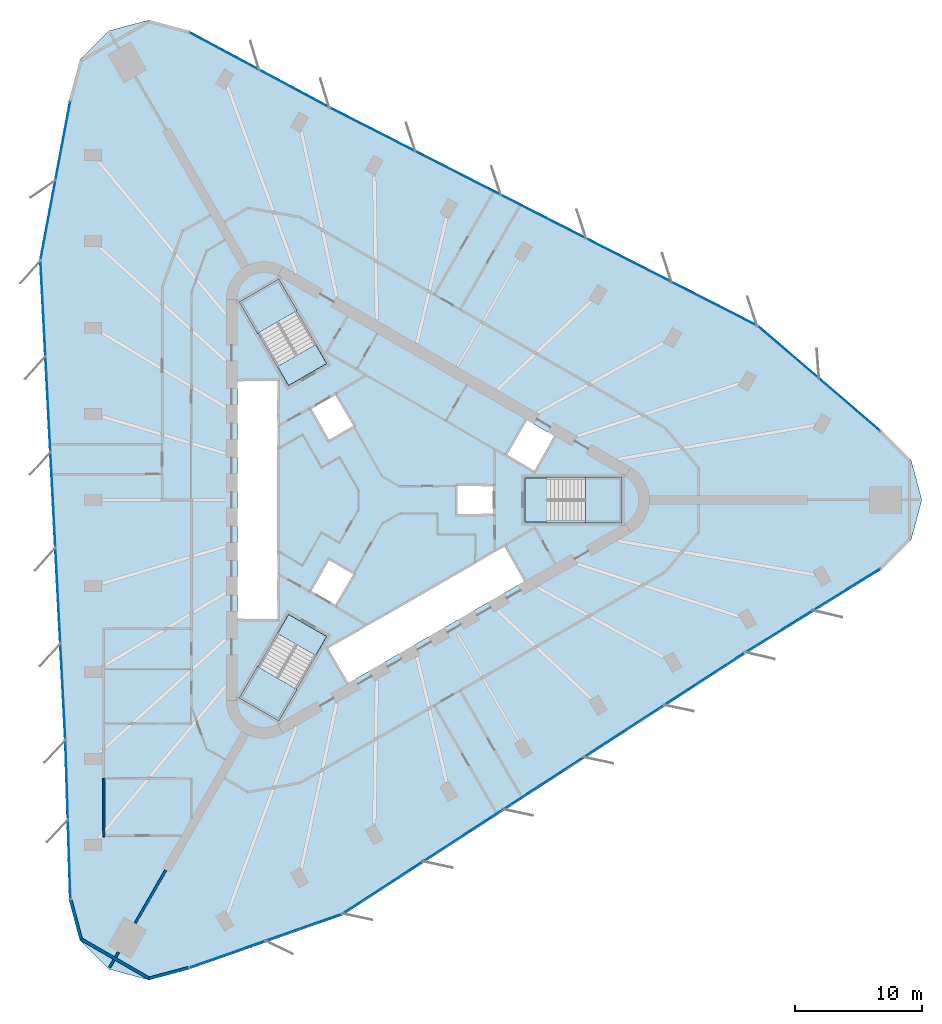
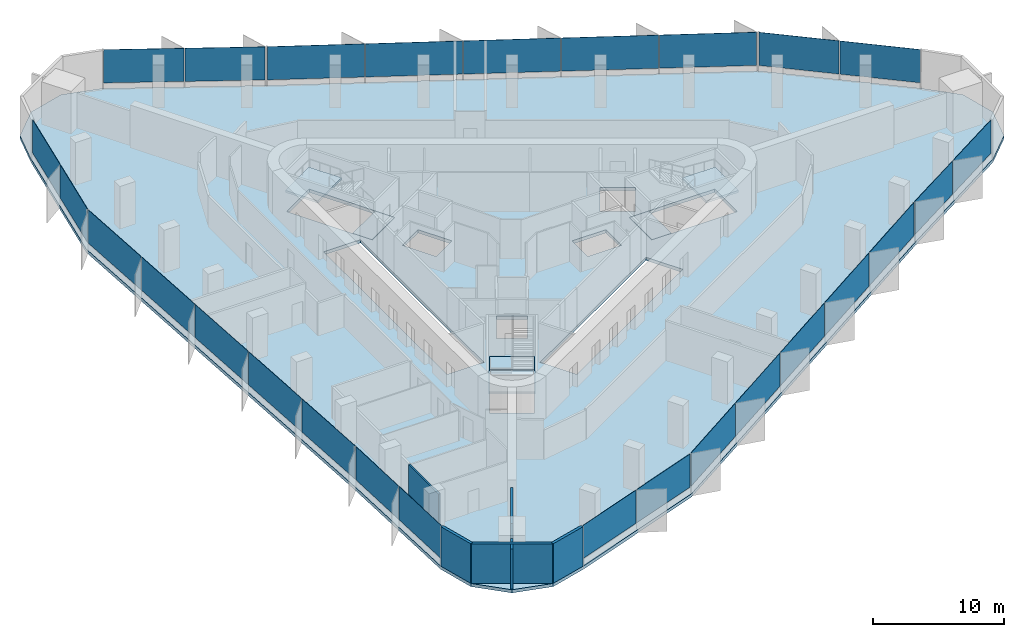
# One storey, part 7 of 13: 27 plates, 7 slabs, 7 walls, 12 elements without a shape of their own.
"""IFC4 building model written with IfcOpenShell, lengths in metres."""

from ifc_helpers import new_model, si_unit, direction, frame, frame_2d, origin, origin_2d, place, context, subcontext, project, spatial, polyline, rectangle, outline, extrude, material, layer, layer_set, type_object, element, aggregate, save


model = new_model("IFC4")

# Units and contexts
model_context = context("Model", 3, precision=1e-05, world=origin(), true_north=direction((0.0, 1.0)))
body_context = subcontext(model_context, "Body", "Model", "MODEL_VIEW")
ifc_project = project(units=[si_unit("LENGTHUNIT", "METRE"), si_unit("AREAUNIT", "SQUARE_METRE"), si_unit("VOLUMEUNIT", "CUBIC_METRE"), si_unit("PLANEANGLEUNIT", "RADIAN"), si_unit("MASSUNIT", "GRAM", prefix="KILO")], contexts=[model_context])

# Site, building, storey
site_placement = place(None, origin())
site = spatial("IfcSite", under=ifc_project, at=site_placement, CompositionType="ELEMENT")
building_placement = place(site_placement, origin())
building = spatial("IfcBuilding", under=site, at=building_placement, Name="Tanit Gate Tower", CompositionType="ELEMENT")
storey_placement = place(building_placement, frame((0.0, 0.0, 177.199951171875)))
storey = spatial("IfcBuildingStorey", under=building, at=storey_placement, Name="L38", CompositionType="ELEMENT", Elevation=177.199951171875)

# Slab
ifc_material_1 = material(Name="Concrete C35/45", Category="concrete")
ifc_layer_1 = layer(ifc_material_1, 0.300048828125)
ifc_layer_set_1 = layer_set([ifc_layer_1], Name="FLOOR SLAB 300 C35/45")
slab_type_1 = type_object("IfcSlabType", Name="FLOOR SLAB 300 C35/45", PredefinedType="FLOOR", material=ifc_layer_set_1)
slab_1_placement = place(storey_placement, frame((0.0, 0.0, -0.300048828125)))
element("IfcSlab", 1, at=slab_1_placement, inside=storey, type_object=slab_type_1, Name="FLOOR SLAB L38", PredefinedType="FLOOR", context=body_context, shape_type="SweptSolid", body=[
    extrude(outline(polyline([(39.398681640625, 5.455078125), (41.7041015625, 3.1494140625), (42.548095703125, 0.0), (41.7041015625, -3.1494140625), (39.398681640625, -5.455078125), (28.72216796875, -12.077392578125), (-2.923583984375, -32.607177734375), (-14.97509765625, -36.84765625), (-18.12451171875, -37.691650390625), (-21.27392578125, -36.84765625), (-23.57958984375, -34.5419921875), (-24.423583984375, -31.392578125), (-24.8203125, -18.83544921875), (-26.77685546875, 18.83544921875), (-24.423583984375, 31.392578125), (-23.57958984375, 34.5419921875), (-21.27392578125, 36.84765625), (-18.12451171875, 37.691650390625), (-14.97509765625, 36.84765625), (-3.90185546875, 30.912841796875), (29.700439453125, 13.771484375), (39.398681640625, 5.455078125)]), holes=[polyline([(11.3701171875, 1.72998046875), (18.929931640625, 1.72998046875), (18.929931640625, -1.72998046875), (11.3701171875, -1.72998046875), (11.3701171875, 1.72998046875)]), polyline([(9.82080078125, 3.510009765625), (11.44580078125, 6.324462890625), (13.783935546875, 4.974609375), (12.158935546875, 2.159912109375), (9.82080078125, 3.510009765625)]), polyline([(-4.208984375, -11.60986328125), (9.82080078125, -3.510009765625), (11.44580078125, -6.324462890625), (-2.583984375, -14.424560546875), (-4.208984375, -11.60986328125)]), polyline([(6.0, 1.199951171875), (9.0, 1.199951171875), (9.0, -1.199951171875), (6.0, -1.199951171875), (6.0, 1.199951171875)]), polyline([(-5.539306640625, 7.194091796875), (-3.460693359375, 8.394287109375), (-1.960693359375, 5.796142578125), (-4.039306640625, 4.59619140625), (-5.539306640625, 7.194091796875)]), polyline([(-1.960693359375, -5.796142578125), (-3.460693359375, -8.394287109375), (-5.539306640625, -7.194091796875), (-4.039306640625, -4.59619140625), (-1.960693359375, -5.796142578125)]), polyline([(-10.963134765625, 15.52880859375), (-7.966796875, 17.2587890625), (-4.186767578125, 10.711669921875), (-7.18310546875, 8.981689453125), (-10.963134765625, 15.52880859375)]), polyline([(-4.186767578125, -10.711669921875), (-7.966796875, -17.2587890625), (-10.963134765625, -15.52880859375), (-7.18310546875, -8.981689453125), (-4.186767578125, -10.711669921875)]), polyline([(-11.199951171875, -9.449951171875), (-11.199951171875, 9.449951171875), (-7.949951171875, 9.449951171875), (-7.949951171875, -9.449951171875), (-11.199951171875, -9.449951171875)])]), origin(), (0.0, 0.0, 1.0), 0.300048828125),
])

# Curtain wall, plates
ifc_material_2 = material(Name="Aluminium bronze anodised and glass", Category="aluminium")
curtain_wall_type = type_object("IfcCurtainWallType", Name="Curtain wall typical mid", PredefinedType="NOTDEFINED", material=ifc_material_2)
curtain_wall_1_placement = place(storey_placement, origin())
curtain_wall_1 = element("IfcCurtainWall", 2, at=curtain_wall_1_placement, inside=storey, type_object=curtain_wall_type, Name="Curtain wall L38 NE1", PredefinedType="NOTDEFINED")
ifc_material_3 = material(Name="Glass tinted", Category="glass")
ifc_layer_2 = layer(ifc_material_3, 0.030029296875)
ifc_layer_set_2 = layer_set([ifc_layer_2], Name="Glass panel 30 typical mid")
plate_type = type_object("IfcPlateType", Name="Glass panel 30 typical mid", PredefinedType="CURTAIN_PANEL", material=ifc_layer_set_2)
plate_1_placement = place(storey_placement, frame((36.880859375, 7.4560546875, 0.60009765625), z_axis=(0.0, 0.0, 1.0), x_axis=(-0.759109335547, 0.650963145412, 0.0)))
plate_1 = element("IfcPlate", 3, at=plate_1_placement, type_object=plate_type, Name="Glass panel L38 NE1.1", PredefinedType="CURTAIN_PANEL", context=body_context, shape_type="SweptSolid", body=[
    extrude(rectangle(XDim=6.25830078125, YDim=0.030029296875, at=origin_2d()), origin(), (0.0, 0.0, 1.0), 3.10009765625),
])
plate_2_placement = place(storey_placement, frame((32.0693359375, 11.58203125, 0.60009765625), z_axis=(0.0, 0.0, 1.0), x_axis=(-0.759109335547, 0.650963145412, 0.0)))
plate_2 = element("IfcPlate", 4, at=plate_2_placement, type_object=plate_type, Name="Glass panel L38 NE1.2", PredefinedType="CURTAIN_PANEL", context=body_context, shape_type="SweptSolid", body=[
    extrude(rectangle(XDim=6.25830078125, YDim=0.030029296875, at=origin_2d()), origin(), (0.0, 0.0, 1.0), 3.10009765625),
])
aggregate(curtain_wall_1, [plate_1, plate_2])

curtain_wall_2_placement = place(storey_placement, origin())
curtain_wall_2 = element("IfcCurtainWall", 5, at=curtain_wall_2_placement, inside=storey, type_object=curtain_wall_type, Name="Curtain wall L38 NE2", PredefinedType="NOTDEFINED")
plate_3_placement = place(storey_placement, frame((26.24560546875, 15.399169921875, 0.60009765625), z_axis=(0.0, 0.0, 1.0), x_axis=(-0.890792250432, 0.454410790552, 0.0)))
plate_3 = element("IfcPlate", 6, at=plate_3_placement, type_object=plate_type, Name="Glass panel L38 NE2.1", PredefinedType="CURTAIN_PANEL", context=body_context, shape_type="SweptSolid", body=[
    extrude(rectangle(XDim=7.44580078125, YDim=0.030029296875, at=origin_2d()), origin(), (0.0, 0.0, 1.0), 3.10009765625),
])
plate_4_placement = place(storey_placement, frame((19.541748046875, 18.819091796875, 0.60009765625), z_axis=(0.0, 0.0, 1.0), x_axis=(-0.890792250432, 0.454410790552, 0.0)))
plate_4 = element("IfcPlate", 7, at=plate_4_placement, type_object=plate_type, Name="Glass panel L38 NE2.2", PredefinedType="CURTAIN_PANEL", context=body_context, shape_type="SweptSolid", body=[
    extrude(rectangle(XDim=7.44580078125, YDim=0.030029296875, at=origin_2d()), origin(), (0.0, 0.0, 1.0), 3.10009765625),
])
plate_5_placement = place(storey_placement, frame((12.837890625, 22.23876953125, 0.60009765625), z_axis=(0.0, 0.0, 1.0), x_axis=(-0.890792250432, 0.454410790552, 0.0)))
plate_5 = element("IfcPlate", 8, at=plate_5_placement, type_object=plate_type, Name="Glass panel L38 NE2.3", PredefinedType="CURTAIN_PANEL", context=body_context, shape_type="SweptSolid", body=[
    extrude(rectangle(XDim=7.44580078125, YDim=0.030029296875, at=origin_2d()), origin(), (0.0, 0.0, 1.0), 3.10009765625),
])
plate_6_placement = place(storey_placement, frame((6.134033203125, 25.65869140625, 0.60009765625), z_axis=(0.0, 0.0, 1.0), x_axis=(-0.890792250432, 0.454410790552, 0.0)))
plate_6 = element("IfcPlate", 9, at=plate_6_placement, type_object=plate_type, Name="Glass panel L38 NE2.4", PredefinedType="CURTAIN_PANEL", context=body_context, shape_type="SweptSolid", body=[
    extrude(rectangle(XDim=7.44580078125, YDim=0.030029296875, at=origin_2d()), origin(), (0.0, 0.0, 1.0), 3.10009765625),
])
plate_7_placement = place(storey_placement, frame((-0.56982421875, 29.078369140625, 0.60009765625), z_axis=(0.0, 0.0, 1.0), x_axis=(-0.890792250432, 0.454410790552, 0.0)))
plate_7 = element("IfcPlate", 10, at=plate_7_placement, type_object=plate_type, Name="Glass panel L38 NE2.5", PredefinedType="CURTAIN_PANEL", context=body_context, shape_type="SweptSolid", body=[
    extrude(rectangle(XDim=7.44580078125, YDim=0.030029296875, at=origin_2d()), origin(), (0.0, 0.0, 1.0), 3.10009765625),
])
aggregate(curtain_wall_2, [plate_3, plate_4, plate_5, plate_6, plate_7])

curtain_wall_3_placement = place(storey_placement, origin())
curtain_wall_3 = element("IfcCurtainWall", 11, at=curtain_wall_3_placement, inside=storey, type_object=curtain_wall_type, Name="Curtain wall L38 NE3", PredefinedType="NOTDEFINED")
plate_8_placement = place(storey_placement, frame((-6.74072265625, 32.298095703125, 0.60009765625), z_axis=(0.0, 0.0, 1.0), x_axis=(-0.881384648642, 0.472399302643, 0.0)))
plate_8 = element("IfcPlate", 12, at=plate_8_placement, type_object=plate_type, Name="Glass panel L38 NE3.1", PredefinedType="CURTAIN_PANEL", context=body_context, shape_type="SweptSolid", body=[
    extrude(rectangle(XDim=6.1552734375, YDim=0.030029296875, at=origin_2d()), origin(), (0.0, 0.0, 1.0), 3.10009765625),
])
plate_9_placement = place(storey_placement, frame((-12.236328125, 35.24365234375, 0.60009765625), z_axis=(0.0, 0.0, 1.0), x_axis=(-0.881384648642, 0.472399302643, 0.0)))
plate_9 = element("IfcPlate", 13, at=plate_9_placement, type_object=plate_type, Name="Glass panel L38 NE3.2", PredefinedType="CURTAIN_PANEL", context=body_context, shape_type="SweptSolid", body=[
    extrude(rectangle(XDim=6.1552734375, YDim=0.030029296875, at=origin_2d()), origin(), (0.0, 0.0, 1.0), 3.10009765625),
])
aggregate(curtain_wall_3, [plate_8, plate_9])

curtain_wall_4_placement = place(storey_placement, origin())
curtain_wall_4 = element("IfcCurtainWall", 14, at=curtain_wall_4_placement, inside=storey, type_object=curtain_wall_type, Name="Curtain wall L38 W1", PredefinedType="NOTDEFINED")
plate_10_placement = place(storey_placement, frame((-24.897705078125, 28.211669921875, 0.60009765625), z_axis=(0.0, 0.0, 1.0), x_axis=(-0.184195953081, -0.98288954154, 0.0)))
plate_10 = element("IfcPlate", 15, at=plate_10_placement, type_object=plate_type, Name="Glass panel L38 W1.1", PredefinedType="CURTAIN_PANEL", context=body_context, shape_type="SweptSolid", body=[
    extrude(rectangle(XDim=6.25830078125, YDim=0.030029296875, at=origin_2d()), origin(), (0.0, 0.0, 1.0), 3.10009765625),
])
plate_11_placement = place(storey_placement, frame((-26.065185546875, 21.981689453125, 0.60009765625), z_axis=(0.0, 0.0, 1.0), x_axis=(-0.184195953081, -0.98288954154, 0.0)))
plate_11 = element("IfcPlate", 16, at=plate_11_placement, type_object=plate_type, Name="Glass panel L38 W1.2", PredefinedType="CURTAIN_PANEL", context=body_context, shape_type="SweptSolid", body=[
    extrude(rectangle(XDim=6.25830078125, YDim=0.030029296875, at=origin_2d()), origin(), (0.0, 0.0, 1.0), 3.10009765625),
])
aggregate(curtain_wall_4, [plate_10, plate_11])

curtain_wall_5_placement = place(storey_placement, origin())
curtain_wall_5 = element("IfcCurtainWall", 17, at=curtain_wall_5_placement, inside=storey, type_object=curtain_wall_type, Name="Curtain wall L38 W2", PredefinedType="NOTDEFINED")
plate_12_placement = place(storey_placement, frame((-26.458984375, 15.02978515625, 0.60009765625), z_axis=(0.0, 0.0, 1.0), x_axis=(0.051864836844, -0.998654113645, 0.0)))
plate_12 = element("IfcPlate", 18, at=plate_12_placement, type_object=plate_type, Name="Glass panel L38 W2.1", PredefinedType="CURTAIN_PANEL", context=body_context, shape_type="SweptSolid", body=[
    extrude(rectangle(XDim=7.44580078125, YDim=0.030029296875, at=origin_2d()), origin(), (0.0, 0.0, 1.0), 3.10009765625),
])
plate_13_placement = place(storey_placement, frame((-26.068603515625, 7.51416015625, 0.60009765625), z_axis=(0.0, 0.0, 1.0), x_axis=(0.051864836844, -0.998654113645, 0.0)))
plate_13 = element("IfcPlate", 19, at=plate_13_placement, type_object=plate_type, Name="Glass panel L38 W2.2", PredefinedType="CURTAIN_PANEL", context=body_context, shape_type="SweptSolid", body=[
    extrude(rectangle(XDim=7.44580078125, YDim=0.030029296875, at=origin_2d()), origin(), (0.0, 0.0, 1.0), 3.10009765625),
])
plate_14_placement = place(storey_placement, frame((-25.67822265625, -0.00146484375, 0.60009765625), z_axis=(0.0, 0.0, 1.0), x_axis=(0.051864836844, -0.998654113645, 0.0)))
plate_14 = element("IfcPlate", 20, at=plate_14_placement, type_object=plate_type, Name="Glass panel L38 W2.3", PredefinedType="CURTAIN_PANEL", context=body_context, shape_type="SweptSolid", body=[
    extrude(rectangle(XDim=7.44580078125, YDim=0.030029296875, at=origin_2d()), origin(), (0.0, 0.0, 1.0), 3.10009765625),
])
plate_15_placement = place(storey_placement, frame((-25.2880859375, -7.51708984375, 0.60009765625), z_axis=(0.0, 0.0, 1.0), x_axis=(0.051864836844, -0.998654113645, 0.0)))
plate_15 = element("IfcPlate", 21, at=plate_15_placement, type_object=plate_type, Name="Glass panel L38 W2.4", PredefinedType="CURTAIN_PANEL", context=body_context, shape_type="SweptSolid", body=[
    extrude(rectangle(XDim=7.44580078125, YDim=0.030029296875, at=origin_2d()), origin(), (0.0, 0.0, 1.0), 3.10009765625),
])
plate_16_placement = place(storey_placement, frame((-24.897705078125, -15.03271484375, 0.60009765625), z_axis=(0.0, 0.0, 1.0), x_axis=(0.051864836844, -0.998654113645, 0.0)))
plate_16 = element("IfcPlate", 22, at=plate_16_placement, type_object=plate_type, Name="Glass panel L38 W2.5", PredefinedType="CURTAIN_PANEL", context=body_context, shape_type="SweptSolid", body=[
    extrude(rectangle(XDim=7.44580078125, YDim=0.030029296875, at=origin_2d()), origin(), (0.0, 0.0, 1.0), 3.10009765625),
])
aggregate(curtain_wall_5, [plate_12, plate_13, plate_14, plate_15, plate_16])

curtain_wall_6_placement = place(storey_placement, origin())
curtain_wall_6 = element("IfcCurtainWall", 23, at=curtain_wall_6_placement, inside=storey, type_object=curtain_wall_type, Name="Curtain wall L38 W3", PredefinedType="NOTDEFINED")
plate_17_placement = place(storey_placement, frame((-24.600830078125, -21.986572265625, 0.60009765625), z_axis=(0.0, 0.0, 1.0), x_axis=(0.031582527502, -0.999501147551, 0.0)))
plate_17 = element("IfcPlate", 24, at=plate_17_placement, type_object=plate_type, Name="Glass panel L38 W3.1", PredefinedType="CURTAIN_PANEL", context=body_context, shape_type="SweptSolid", body=[
    extrude(rectangle(XDim=6.1552734375, YDim=0.030029296875, at=origin_2d()), origin(), (0.0, 0.0, 1.0), 3.10009765625),
])
plate_18_placement = place(storey_placement, frame((-24.40380859375, -28.21875, 0.60009765625), z_axis=(0.0, 0.0, 1.0), x_axis=(0.031582527502, -0.999501147551, 0.0)))
plate_18 = element("IfcPlate", 25, at=plate_18_placement, type_object=plate_type, Name="Glass panel L38 W3.2", PredefinedType="CURTAIN_PANEL", context=body_context, shape_type="SweptSolid", body=[
    extrude(rectangle(XDim=6.1552734375, YDim=0.030029296875, at=origin_2d()), origin(), (0.0, 0.0, 1.0), 3.10009765625),
])
aggregate(curtain_wall_6, [plate_17, plate_18])

curtain_wall_7_placement = place(storey_placement, origin())
curtain_wall_7 = element("IfcCurtainWall", 26, at=curtain_wall_7_placement, inside=storey, type_object=curtain_wall_type, Name="Curtain wall L38 SE1", PredefinedType="NOTDEFINED")
plate_19_placement = place(storey_placement, frame((-11.983154296875, -35.667724609375, 0.60009765625), z_axis=(0.0, 0.0, 1.0), x_axis=(0.943305288628, 0.331926396127, 0.0)))
plate_19 = element("IfcPlate", 27, at=plate_19_placement, type_object=plate_type, Name="Glass panel L38 SE1.1", PredefinedType="CURTAIN_PANEL", context=body_context, shape_type="SweptSolid", body=[
    extrude(rectangle(XDim=6.25830078125, YDim=0.030029296875, at=origin_2d()), origin(), (0.0, 0.0, 1.0), 3.10009765625),
])
plate_20_placement = place(storey_placement, frame((-6.004150390625, -33.56396484375, 0.60009765625), z_axis=(0.0, 0.0, 1.0), x_axis=(0.943305288628, 0.331926396127, 0.0)))
plate_20 = element("IfcPlate", 28, at=plate_20_placement, type_object=plate_type, Name="Glass panel L38 SE1.2", PredefinedType="CURTAIN_PANEL", context=body_context, shape_type="SweptSolid", body=[
    extrude(rectangle(XDim=6.25830078125, YDim=0.030029296875, at=origin_2d()), origin(), (0.0, 0.0, 1.0), 3.10009765625),
])
aggregate(curtain_wall_7, [plate_19, plate_20])

curtain_wall_8_placement = place(storey_placement, origin())
curtain_wall_8 = element("IfcCurtainWall", 29, at=curtain_wall_8_placement, inside=storey, type_object=curtain_wall_type, Name="Curtain wall L38 SE2", PredefinedType="NOTDEFINED")
plate_21_placement = place(storey_placement, frame((0.21337890625, -30.428955078125, 0.60009765625), z_axis=(0.0, 0.0, 1.0), x_axis=(0.838927413588, 0.544243323092, 0.0)))
plate_21 = element("IfcPlate", 30, at=plate_21_placement, type_object=plate_type, Name="Glass panel L38 SE2.1", PredefinedType="CURTAIN_PANEL", context=body_context, shape_type="SweptSolid", body=[
    extrude(rectangle(XDim=7.44580078125, YDim=0.030029296875, at=origin_2d()), origin(), (0.0, 0.0, 1.0), 3.10009765625),
])
plate_22_placement = place(storey_placement, frame((6.52685546875, -26.333251953125, 0.60009765625), z_axis=(0.0, 0.0, 1.0), x_axis=(0.838927413588, 0.544243323092, 0.0)))
plate_22 = element("IfcPlate", 31, at=plate_22_placement, type_object=plate_type, Name="Glass panel L38 SE2.2", PredefinedType="CURTAIN_PANEL", context=body_context, shape_type="SweptSolid", body=[
    extrude(rectangle(XDim=7.44580078125, YDim=0.030029296875, at=origin_2d()), origin(), (0.0, 0.0, 1.0), 3.10009765625),
])
plate_23_placement = place(storey_placement, frame((12.840576171875, -22.2373046875, 0.60009765625), z_axis=(0.0, 0.0, 1.0), x_axis=(0.838927413588, 0.544243323092, 0.0)))
plate_23 = element("IfcPlate", 32, at=plate_23_placement, type_object=plate_type, Name="Glass panel L38 SE2.3", PredefinedType="CURTAIN_PANEL", context=body_context, shape_type="SweptSolid", body=[
    extrude(rectangle(XDim=7.44580078125, YDim=0.030029296875, at=origin_2d()), origin(), (0.0, 0.0, 1.0), 3.10009765625),
])
plate_24_placement = place(storey_placement, frame((19.154052734375, -18.141357421875, 0.60009765625), z_axis=(0.0, 0.0, 1.0), x_axis=(0.838927413588, 0.544243323092, 0.0)))
plate_24 = element("IfcPlate", 33, at=plate_24_placement, type_object=plate_type, Name="Glass panel L38 SE2.4", PredefinedType="CURTAIN_PANEL", context=body_context, shape_type="SweptSolid", body=[
    extrude(rectangle(XDim=7.44580078125, YDim=0.030029296875, at=origin_2d()), origin(), (0.0, 0.0, 1.0), 3.10009765625),
])
plate_25_placement = place(storey_placement, frame((25.467529296875, -14.045654296875, 0.60009765625), z_axis=(0.0, 0.0, 1.0), x_axis=(0.838927413588, 0.544243323092, 0.0)))
plate_25 = element("IfcPlate", 34, at=plate_25_placement, type_object=plate_type, Name="Glass panel L38 SE2.5", PredefinedType="CURTAIN_PANEL", context=body_context, shape_type="SweptSolid", body=[
    extrude(rectangle(XDim=7.44580078125, YDim=0.030029296875, at=origin_2d()), origin(), (0.0, 0.0, 1.0), 3.10009765625),
])
aggregate(curtain_wall_8, [plate_21, plate_22, plate_23, plate_24, plate_25])

curtain_wall_9_placement = place(storey_placement, origin())
curtain_wall_9 = element("IfcCurtainWall", 35, at=curtain_wall_9_placement, inside=storey, type_object=curtain_wall_type, Name="Curtain wall L38 SE3", PredefinedType="NOTDEFINED")
plate_26_placement = place(storey_placement, frame((31.34130859375, -10.3115234375, 0.60009765625), z_axis=(0.0, 0.0, 1.0), x_axis=(0.84980212114, 0.527101844908, 0.0)))
plate_26 = element("IfcPlate", 36, at=plate_26_placement, type_object=plate_type, Name="Glass panel L38 SE3.1", PredefinedType="CURTAIN_PANEL", context=body_context, shape_type="SweptSolid", body=[
    extrude(rectangle(XDim=6.1552734375, YDim=0.030029296875, at=origin_2d()), origin(), (0.0, 0.0, 1.0), 3.10009765625),
])
plate_27_placement = place(storey_placement, frame((36.64013671875, -7.02490234375, 0.60009765625), z_axis=(0.0, 0.0, 1.0), x_axis=(0.84980212114, 0.527101844908, 0.0)))
plate_27 = element("IfcPlate", 37, at=plate_27_placement, type_object=plate_type, Name="Glass panel L38 SE3.2", PredefinedType="CURTAIN_PANEL", context=body_context, shape_type="SweptSolid", body=[
    extrude(rectangle(XDim=6.1552734375, YDim=0.030029296875, at=origin_2d()), origin(), (0.0, 0.0, 1.0), 3.10009765625),
])
aggregate(curtain_wall_9, [plate_26, plate_27])

# Stair, slab
ifc_material_4 = material(Name="Concrete C40/50", Category="concrete")
stair_type = type_object("IfcStairType", Name="INT-STAIR-EXIT", PredefinedType="HALF_TURN_STAIR", material=ifc_material_4)
stair_1_placement = place(storey_placement, origin())
stair_1 = element("IfcStair", 38, at=stair_1_placement, inside=storey, type_object=stair_type, Name="L38 STAIR S1", PredefinedType="HALF_TURN_STAIR")
ifc_material_5 = material(Name="Concrete C40/50", Category="concrete")
ifc_layer_3 = layer(ifc_material_5, 0.199951171875)
ifc_layer_set_3 = layer_set([ifc_layer_3], Name="INT-STAIR-LANDING")
slab_type_2 = type_object("IfcSlabType", Name="INT-STAIR-LANDING", PredefinedType="LANDING", material=ifc_layer_set_3)
slab_2_placement = place(storey_placement, frame((0.0, 0.0, 1.800048828125)))
slab_2 = element("IfcSlab", 39, at=slab_2_placement, type_object=slab_type_2, Name="S1 landing 1", PredefinedType="LANDING", context=body_context, shape_type="SweptSolid", body=[
    extrude(outline(polyline([(16.135986328125, -1.800048828125), (19.0, -1.800048828125), (19.0, 1.800048828125), (16.135986328125, 1.800048828125), (16.135986328125, -1.800048828125)])), origin(), (0.0, 0.0, 1.0), 0.199951171875),
])
aggregate(stair_1, [slab_2])

# Slab
slab_3_placement = place(storey_placement, frame((0.0, 0.0, -0.199951171875)))
element("IfcSlab", 40, at=slab_3_placement, inside=storey, type_object=slab_type_2, Name="S1 floor landing", PredefinedType="LANDING", context=body_context, shape_type="SweptSolid", body=[
    extrude(outline(polyline([(11.3798828125, -1.719970703125), (13.10498046875, -1.719970703125), (13.10498046875, 1.719970703125), (11.3798828125, 1.719970703125), (11.3798828125, -1.719970703125)])), origin(), (0.0, 0.0, 1.0), 0.199951171875),
])

# Stair, slab
stair_2_placement = place(storey_placement, origin())
stair_2 = element("IfcStair", 41, at=stair_2_placement, inside=storey, type_object=stair_type, Name="L38 STAIR S2", PredefinedType="HALF_TURN_STAIR")
slab_4_placement = place(storey_placement, frame((0.0, 0.0, 1.800048828125)))
slab_4 = element("IfcSlab", 42, at=slab_4_placement, type_object=slab_type_2, Name="S2 landing 1", PredefinedType="LANDING", context=body_context, shape_type="SweptSolid", body=[
    extrude(outline(polyline([(-6.5078125, 14.871826171875), (-7.941162109375, 17.3544921875), (-11.058837890625, 15.554443359375), (-9.62548828125, 13.07177734375), (-6.5078125, 14.871826171875)])), origin(), (0.0, 0.0, 1.0), 0.199951171875),
])
aggregate(stair_2, [slab_4])

# Slab
slab_5_placement = place(storey_placement, frame((0.0, 0.0, -0.199951171875)))
element("IfcSlab", 43, at=slab_5_placement, inside=storey, type_object=slab_type_2, Name="S2 floor landing", PredefinedType="LANDING", context=body_context, shape_type="SweptSolid", body=[
    extrude(outline(polyline([(-4.200439453125, 10.71533203125), (-5.0625, 12.20849609375), (-8.04150390625, 10.48828125), (-7.179443359375, 8.995361328125), (-4.200439453125, 10.71533203125)])), origin(), (0.0, 0.0, 1.0), 0.199951171875),
])

# Stair, slab
stair_3_placement = place(storey_placement, origin())
stair_3 = element("IfcStair", 44, at=stair_3_placement, inside=storey, type_object=stair_type, Name="L38 STAIR S3", PredefinedType="HALF_TURN_STAIR")
slab_6_placement = place(storey_placement, frame((0.0, 0.0, 1.800048828125)))
slab_6 = element("IfcSlab", 45, at=slab_6_placement, type_object=slab_type_2, Name="S3 landing 1", PredefinedType="LANDING", context=body_context, shape_type="SweptSolid", body=[
    extrude(outline(polyline([(-9.626953125, -13.07421875), (-11.058837890625, -15.554443359375), (-7.941162109375, -17.3544921875), (-6.509033203125, -14.874267578125), (-9.626953125, -13.07421875)])), origin(), (0.0, 0.0, 1.0), 0.199951171875),
])
aggregate(stair_3, [slab_6])

# Slab
slab_7_placement = place(storey_placement, frame((0.0, 0.0, -0.199951171875)))
element("IfcSlab", 46, at=slab_7_placement, inside=storey, type_object=slab_type_2, Name="S3 floor landing", PredefinedType="LANDING", context=body_context, shape_type="SweptSolid", body=[
    extrude(outline(polyline([(-7.179443359375, -8.995361328125), (-8.0419921875, -10.4892578125), (-5.06298828125, -12.209228515625), (-4.200439453125, -10.71533203125), (-7.179443359375, -8.995361328125)])), origin(), (0.0, 0.0, 1.0), 0.199951171875),
])

# Walls
ifc_material_6 = material(Name="Concrete C30/37 with bronze anodised aluminium cladding", Category="concrete")
ifc_layer_4 = layer(ifc_material_6, 0.239990234375)
ifc_layer_set_4 = layer_set([ifc_layer_4], Name="Facade wall bronze clad 240")
wall_type_1 = type_object("IfcWallType", Name="Facade wall bronze clad 240", PredefinedType="SOLIDWALL", material=ifc_layer_set_4)
wall_1_placement = place(storey_placement, frame((-24.303955078125, -31.375, 0.0), z_axis=(0.0, 0.0, 1.0), x_axis=(0.258763925409, -0.965940593881, 0.0)))
element("IfcWall", 47, at=wall_1_placement, inside=storey, type_object=wall_type_1, Name="Bronze-clad facade wall L38 SW.arc1", PredefinedType="SOLIDWALL", context=body_context, shape_type="SweptSolid", body=[
    extrude(rectangle(XDim=3.21435546875, YDim=0.239990234375, at=frame_2d((1.607177734375, 0.0))), origin(), (0.0, 0.0, 1.0), 3.699951171875),
])
wall_2_placement = place(storey_placement, frame((-23.47216796875, -34.47998046875, 0.0), z_axis=(0.0, 0.0, 1.0), x_axis=(0.866030202489, -0.499991688307, 0.0)))
element("IfcWall", 48, at=wall_2_placement, inside=storey, type_object=wall_type_1, Name="Bronze-clad facade wall L38 SW.arc2", PredefinedType="SOLIDWALL", context=body_context, shape_type="SweptSolid", body=[
    extrude(rectangle(XDim=6.1748046875, YDim=0.239990234375, at=frame_2d((3.08740234375, 0.0))), origin(), (0.0, 0.0, 1.0), 3.699951171875),
])
wall_3_placement = place(storey_placement, frame((-18.12451171875, -37.5673828125, 0.0), z_axis=(0.0, 0.0, 1.0), x_axis=(0.965919993975, 0.258840810616, 0.0)))
element("IfcWall", 49, at=wall_3_placement, inside=storey, type_object=wall_type_1, Name="Bronze-clad facade wall L38 SW.arc3", PredefinedType="SOLIDWALL", context=body_context, shape_type="SweptSolid", body=[
    extrude(rectangle(XDim=3.223876953125, YDim=0.239990234375, at=frame_2d((1.61181640625, 0.0))), origin(), (0.0, 0.0, 1.0), 3.699951171875),
])
ifc_material_7 = material(Name="Fire-rated gypsum board partition")
ifc_layer_5 = layer(ifc_material_7, 0.199951171875)
ifc_layer_set_5 = layer_set([ifc_layer_5], Name="INT-WALL-COMPARTMENT")
wall_type_2 = type_object("IfcWallType", Name="INT-WALL-COMPARTMENT", PredefinedType="PARTITIONING", material=ifc_layer_set_5)
wall_4_placement = place(storey_placement, frame((-16.8173828125, -29.068359375, 0.0), z_axis=(0.0, 0.0, 1.0), x_axis=(-0.499988695522, -0.866031930329, 0.0)))
element("IfcWall", 50, at=wall_4_placement, inside=storey, type_object=wall_type_2, Name="Wall Compartment W114", PredefinedType="PARTITIONING", context=body_context, shape_type="SweptSolid", body=[
    extrude(rectangle(XDim=4.8154296875, YDim=0.199951171875, at=frame_2d((2.40771484375, 0.0))), origin(), (0.0, 0.0, 1.0), 3.27001953125),
])
wall_5_placement = place(storey_placement, frame((-20.52490234375, -35.490234375, 0.0), z_axis=(0.0, 0.0, 1.0), x_axis=(-0.499869636591, -0.866100656052, 0.0)))
element("IfcWall", 51, at=wall_5_placement, inside=storey, type_object=wall_type_2, Name="Wall Compartment W113", PredefinedType="PARTITIONING", context=body_context, shape_type="SweptSolid", body=[
    extrude(rectangle(XDim=0.478759765625, YDim=0.199951171875, at=frame_2d((0.2392578125, 0.0))), origin(), (0.0, 0.0, 1.0), 3.699951171875),
])
wall_6_placement = place(storey_placement, frame((-20.88427734375, -36.112548828125, 0.0), z_axis=(0.0, 0.0, 1.0), x_axis=(-0.49989369433, -0.866086770693, 0.0)))
element("IfcWall", 52, at=wall_6_placement, inside=storey, type_object=wall_type_2, Name="Wall Compartment W113x1", PredefinedType="PARTITIONING", context=body_context, shape_type="SweptSolid", body=[
    extrude(rectangle(XDim=0.699462890625, YDim=0.199951171875, at=frame_2d((0.349609375, 0.0))), origin(), (0.0, 0.0, 1.0), 3.699951171875),
])
ifc_material_8 = material(Name="Fire-rated gypsum board partition")
ifc_layer_6 = layer(ifc_material_8, 0.14990234375)
ifc_layer_set_6 = layer_set([ifc_layer_6], Name="INT-WALL-RISER")
wall_type_3 = type_object("IfcWallType", Name="INT-WALL-RISER", PredefinedType="PLUMBINGWALL", material=ifc_layer_set_6)
wall_7_placement = place(storey_placement, frame((-21.679931640625, -26.425048828125, 0.0), z_axis=(0.0, 0.0, 1.0), x_axis=(0.0, 1.0, 0.0)))
element("IfcWall", 53, at=wall_7_placement, inside=storey, type_object=wall_type_3, Name="Wall Riser W119", PredefinedType="PLUMBINGWALL", context=body_context, shape_type="SweptSolid", body=[
    extrude(rectangle(XDim=4.592041015625, YDim=0.14990234375, at=frame_2d((2.2958984375, 0.0))), origin(), (0.0, 0.0, 1.0), 2.780029296875),
])

save(model, "model.ifc")
